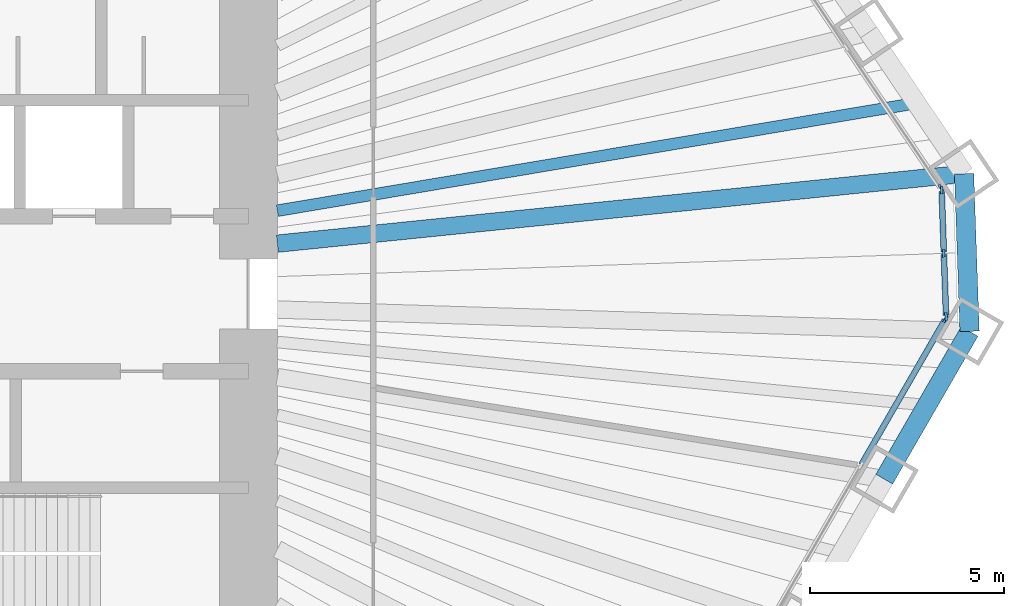
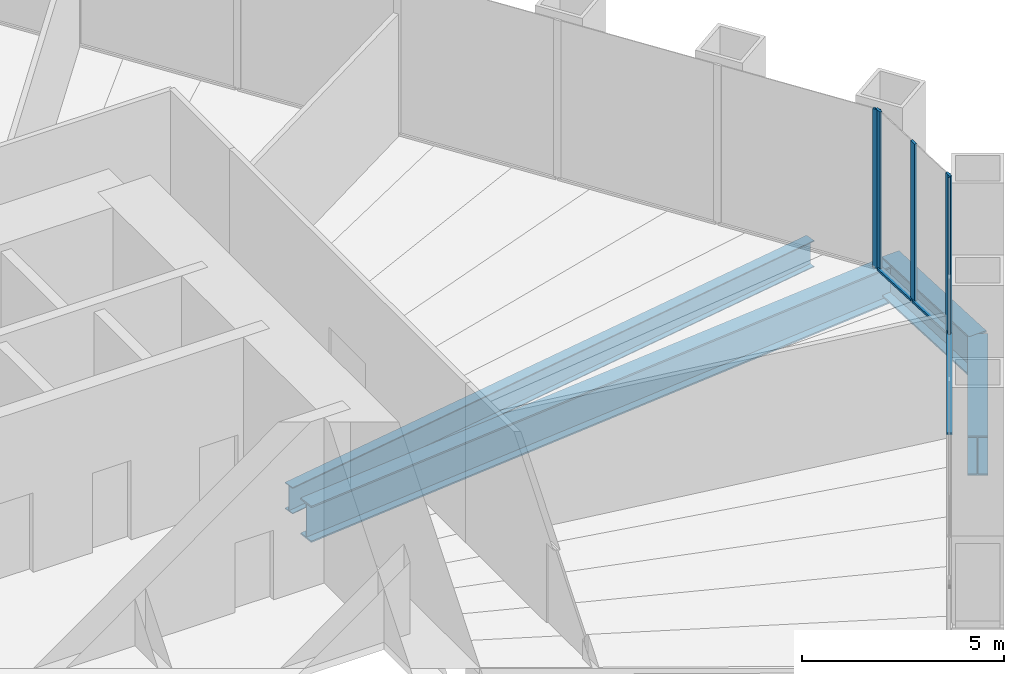
# One storey, part 5 of 13: 8 members, 4 beams, 3 elements without a shape of their own.
"""IFC4 building model written with IfcOpenShell, lengths in metres."""

from ifc_helpers import new_model, si_unit, direction, frame, origin, origin_2d, place, context, subcontext, project, spatial, rectangle, i_section, extrude, material, material_profile, profile_set, type_object, element, aggregate, save


model = new_model("IFC4")

# Units and contexts
model_context = context("Model", 3, precision=1e-05, world=origin(), true_north=direction((0.0, 1.0)))
body_context = subcontext(model_context, "Body", "Model", "MODEL_VIEW")
ifc_project = project(units=[si_unit("LENGTHUNIT", "METRE"), si_unit("AREAUNIT", "SQUARE_METRE"), si_unit("VOLUMEUNIT", "CUBIC_METRE"), si_unit("PLANEANGLEUNIT", "RADIAN"), si_unit("MASSUNIT", "GRAM", prefix="KILO")], contexts=[model_context])

# Site, building, storey
site_placement = place(None, origin())
site = spatial("IfcSite", under=ifc_project, at=site_placement, CompositionType="ELEMENT")
building_placement = place(site_placement, origin())
building = spatial("IfcBuilding", under=site, at=building_placement, Name="Qingtian Harvest Tower", CompositionType="ELEMENT")
storey_placement = place(building_placement, frame((0.0, 0.0, 87.0)))
storey = spatial("IfcBuildingStorey", under=building, at=storey_placement, Name="L17", CompositionType="ELEMENT", Elevation=87.0)

# Beams
ifc_material_1 = material(Name="Steel SM570MC", Category="steel")
ifc_material_profile_1 = material_profile(ifc_material_1, i_section(OverallWidth=0.449951171875, OverallDepth=1.10009765625, WebThickness=0.02197265625, FlangeThickness=0.044921875, at=origin_2d()), Name="H1100x450x22x45")
ifc_profile_set_1 = profile_set([ifc_material_profile_1], Name="Steel SM570MC")
beam_type_1 = type_object("IfcBeamType", Name="Corner floor beam FB8 H1100x450x22x45", PredefinedType="BEAM", material=ifc_profile_set_1)
beam_1_placement = place(storey_placement, frame((30.476318359375, 3.100830078125, -0.75), z_axis=(-0.994864371567, -0.101217005423, 0.0), x_axis=(0.101217005423, -0.994864371567, 0.0)))
element("IfcBeam", 1, at=beam_1_placement, inside=storey, type_object=beam_type_1, Name="Floor beam FB8 NE6", PredefinedType="BEAM", context=body_context, shape_type="SweptSolid", body=[
    extrude(i_section(OverallWidth=0.449951171875, OverallDepth=1.10009765625, WebThickness=0.02197265625, FlangeThickness=0.044921875, at=origin_2d()), origin(), (0.0, 0.0, 1.0), 17.81787109375),
])
ifc_material_2 = material(Name="Steel SN490B", Category="steel")
ifc_material_profile_2 = material_profile(ifc_material_2, i_section(OverallWidth=0.300048828125, OverallDepth=0.800048828125, WebThickness=0.013916015625, FlangeThickness=0.02587890625, at=origin_2d()), Name="H800x300x14x26")
ifc_profile_set_2 = profile_set([ifc_material_profile_2], Name="Steel SN490B")
beam_type_2 = type_object("IfcBeamType", Name="Floor joist J1 H800x300x14x26", PredefinedType="JOIST", material=ifc_profile_set_2)
beam_2_placement = place(storey_placement, frame((29.244873046875, 4.926513671875, -0.60009765625), z_axis=(-0.986107238024, -0.166109948877, 0.0), x_axis=(0.166109948877, -0.986107238024, 0.0)))
element("IfcBeam", 2, at=beam_2_placement, inside=storey, type_object=beam_type_2, Name="Floor joist J1 NE5", PredefinedType="JOIST", context=body_context, shape_type="SweptSolid", body=[
    extrude(i_section(OverallWidth=0.300048828125, OverallDepth=0.800048828125, WebThickness=0.013916015625, FlangeThickness=0.02587890625, at=origin_2d()), origin(), (0.0, 0.0, 1.0), 16.727294921875),
])

# Curtain wall, member
ifc_material_3 = material(Name="Bronze-anodised aluminium curtain wall", Category="aluminium")
curtain_wall_type = type_object("IfcCurtainWallType", Name="Curtain wall CW2 farm reception", PredefinedType="USERDEFINED", material=ifc_material_3)
curtain_wall_1_placement = place(storey_placement, origin())
curtain_wall_1 = element("IfcCurtainWall", 3, at=curtain_wall_1_placement, inside=storey, type_object=curtain_wall_type, Name="Curtain wall CW2 L17 NE0-5", ObjectType="RECESSED CURTAIN WALL", PredefinedType="USERDEFINED")
ifc_material_4 = material(Name="Bronze-anodised aluminium mullion", Category="aluminium")
ifc_material_profile_3 = material_profile(ifc_material_4, rectangle(XDim=0.06494140625, YDim=0.199951171875, at=origin_2d()), Name="AL 65x200")
ifc_profile_set_3 = profile_set([ifc_material_profile_3], Name="Bronze-anodised aluminium mullion")
member_type_1 = type_object("IfcMemberType", Name="Mullion CWM 65x200", PredefinedType="MULLION", material=ifc_profile_set_3)
member_1_placement = place(storey_placement, frame((29.8779296875, 2.736328125, 0.0), z_axis=(0.0, 0.0, 1.0), x_axis=(0.829037572555, 0.559192903471, 0.0)))
member_1 = element("IfcMember", 4, at=member_1_placement, type_object=member_type_1, Name="CW2 mullion 7", PredefinedType="MULLION", context=body_context, shape_type="SweptSolid", body=[
    extrude(rectangle(XDim=0.06494140625, YDim=0.199951171875, at=origin_2d()), origin(), (0.0, 0.0, 1.0), 4.800048828125),
])
aggregate(curtain_wall_1, [member_1])

# Curtain wall, members
curtain_wall_2_placement = place(storey_placement, origin())
curtain_wall_2 = element("IfcCurtainWall", 5, at=curtain_wall_2_placement, inside=storey, type_object=curtain_wall_type, Name="Curtain wall CW2 L17 NEC", ObjectType="RECESSED CURTAIN WALL", PredefinedType="USERDEFINED")
member_2_placement = place(storey_placement, frame((29.897216796875, 2.677001953125, 0.0), z_axis=(0.0, 0.0, 1.0), x_axis=(0.999390827019, 0.034899496703, 0.0)))
member_2 = element("IfcMember", 6, at=member_2_placement, type_object=member_type_1, Name="CW2 mullion 1", PredefinedType="MULLION", context=body_context, shape_type="SweptSolid", body=[
    extrude(rectangle(XDim=0.06494140625, YDim=0.199951171875, at=origin_2d()), origin(), (0.0, 0.0, 1.0), 4.800048828125),
])
member_3_placement = place(storey_placement, frame((29.9541015625, 1.046142578125, 0.0), z_axis=(0.0, 0.0, 1.0), x_axis=(0.999390827019, 0.034899496703, 0.0)))
member_3 = element("IfcMember", 7, at=member_3_placement, type_object=member_type_1, Name="CW2 mullion 2", PredefinedType="MULLION", context=body_context, shape_type="SweptSolid", body=[
    extrude(rectangle(XDim=0.06494140625, YDim=0.199951171875, at=origin_2d()), origin(), (0.0, 0.0, 1.0), 4.800048828125),
])
member_4_placement = place(storey_placement, frame((30.010986328125, -0.5849609375, 0.0), z_axis=(0.0, 0.0, 1.0), x_axis=(0.999390827019, 0.034899496703, 0.0)))
member_4 = element("IfcMember", 8, at=member_4_placement, type_object=member_type_1, Name="CW2 mullion 3", PredefinedType="MULLION", context=body_context, shape_type="SweptSolid", body=[
    extrude(rectangle(XDim=0.06494140625, YDim=0.199951171875, at=origin_2d()), origin(), (0.0, 0.0, 1.0), 4.800048828125),
])

# Curtain wall, member
curtain_wall_3_placement = place(storey_placement, origin())
curtain_wall_3 = element("IfcCurtainWall", 9, at=curtain_wall_3_placement, inside=storey, type_object=curtain_wall_type, Name="Curtain wall CW2 L17 SE0-5", ObjectType="RECESSED CURTAIN WALL", PredefinedType="USERDEFINED")
member_5_placement = place(storey_placement, frame((29.995849609375, -0.6455078125, 0.0), z_axis=(0.0, 0.0, 1.0), x_axis=(0.866025403784, -0.5, 0.0)))
member_5 = element("IfcMember", 10, at=member_5_placement, type_object=member_type_1, Name="CW2 mullion 1", PredefinedType="MULLION", context=body_context, shape_type="SweptSolid", body=[
    extrude(rectangle(XDim=0.06494140625, YDim=0.199951171875, at=origin_2d()), origin(), (0.0, 0.0, 1.0), 4.800048828125),
])

# Beams
ifc_material_5 = material(Name="Steel SM570MC", Category="steel")
ifc_material_profile_4 = material_profile(ifc_material_5, i_section(OverallWidth=0.5, OverallDepth=1.199951171875, WebThickness=0.02490234375, FlangeThickness=0.050048828125, at=origin_2d()), Name="H1200x500x25x50")
ifc_profile_set_4 = profile_set([ifc_material_profile_4], Name="Steel SM570MC")
beam_type_3 = type_object("IfcBeamType", Name="Spandrel beam SB1 H1200x500x25x50", PredefinedType="SPANDREL", material=ifc_profile_set_4)
beam_3_placement = place(storey_placement, frame((30.476318359375, 3.100830078125, -0.60009765625), z_axis=(0.03490639867, -0.999390585973, 0.0), x_axis=(0.999390585973, 0.03490639867, 0.0)))
element("IfcBeam", 11, at=beam_3_placement, inside=storey, type_object=beam_type_3, Name="Spandrel SB1 NEC", PredefinedType="SPANDREL", context=body_context, shape_type="SweptSolid", body=[
    extrude(i_section(OverallWidth=0.5, OverallDepth=1.199951171875, WebThickness=0.02490234375, FlangeThickness=0.050048828125, at=origin_2d()), origin(), (0.0, 0.0, 1.0), 4.070556640625),
])
beam_4_placement = place(storey_placement, frame((30.618408203125, -0.96728515625, -0.60009765625), z_axis=(-0.50001992892, -0.866013897511, 0.0), x_axis=(0.866013897511, -0.50001992892, 0.0)))
element("IfcBeam", 12, at=beam_4_placement, inside=storey, type_object=beam_type_3, Name="Spandrel SB1 SE0", PredefinedType="SPANDREL", context=body_context, shape_type="SweptSolid", body=[
    extrude(i_section(OverallWidth=0.5, OverallDepth=1.199951171875, WebThickness=0.02490234375, FlangeThickness=0.050048828125, at=origin_2d()), origin(), (0.0, 0.0, 1.0), 4.404541015625),
])

# Member
ifc_material_6 = material(Name="Bronze-anodised aluminium transom", Category="aluminium")
ifc_material_profile_5 = material_profile(ifc_material_6, rectangle(XDim=0.14990234375, YDim=0.06494140625, at=origin_2d()), Name="AL 65x150")
ifc_profile_set_5 = profile_set([ifc_material_profile_5], Name="Bronze-anodised aluminium transom")
member_type_2 = type_object("IfcMemberType", Name="Transom CWT 65x150", PredefinedType="USERDEFINED", material=ifc_profile_set_5)
member_6_placement = place(storey_placement, frame((29.898193359375, 2.64453125, 0.032470703125), z_axis=(0.034902326647, -0.999390728191, 0.0), x_axis=(0.999390728191, 0.034902326647, 0.0)))
member_6 = element("IfcMember", 13, at=member_6_placement, type_object=member_type_2, Name="CW2 transom 1.1", ObjectType="TRANSOM", PredefinedType="USERDEFINED", context=body_context, shape_type="SweptSolid", body=[
    extrude(rectangle(XDim=0.14990234375, YDim=0.06494140625, at=origin_2d()), origin(), (0.0, 0.0, 1.0), 1.56689453125),
])

member_7_placement = place(storey_placement, frame((29.955322265625, 1.013427734375, 0.032470703125), z_axis=(0.034902326647, -0.999390728191, 0.0), x_axis=(0.999390728191, 0.034902326647, 0.0)))
member_7 = element("IfcMember", 14, at=member_7_placement, type_object=member_type_2, Name="CW2 transom 2.1", ObjectType="TRANSOM", PredefinedType="USERDEFINED", context=body_context, shape_type="SweptSolid", body=[
    extrude(rectangle(XDim=0.14990234375, YDim=0.06494140625, at=origin_2d()), origin(), (0.0, 0.0, 1.0), 1.56689453125),
])

aggregate(curtain_wall_2, [member_2, member_3, member_4, member_6, member_7])

member_8_placement = place(storey_placement, frame((29.979736328125, -0.673583984375, 0.032470703125), z_axis=(-0.499985768833, -0.866033619997, 0.0), x_axis=(0.866033619997, -0.499985768833, 0.0)))
member_8 = element("IfcMember", 15, at=member_8_placement, type_object=member_type_2, Name="CW2 transom 1.1", ObjectType="TRANSOM", PredefinedType="USERDEFINED", context=body_context, shape_type="SweptSolid", body=[
    extrude(rectangle(XDim=0.14990234375, YDim=0.06494140625, at=origin_2d()), origin(), (0.0, 0.0, 1.0), 4.307373046875),
])

aggregate(curtain_wall_3, [member_5, member_8])

save(model, "model.ifc")
